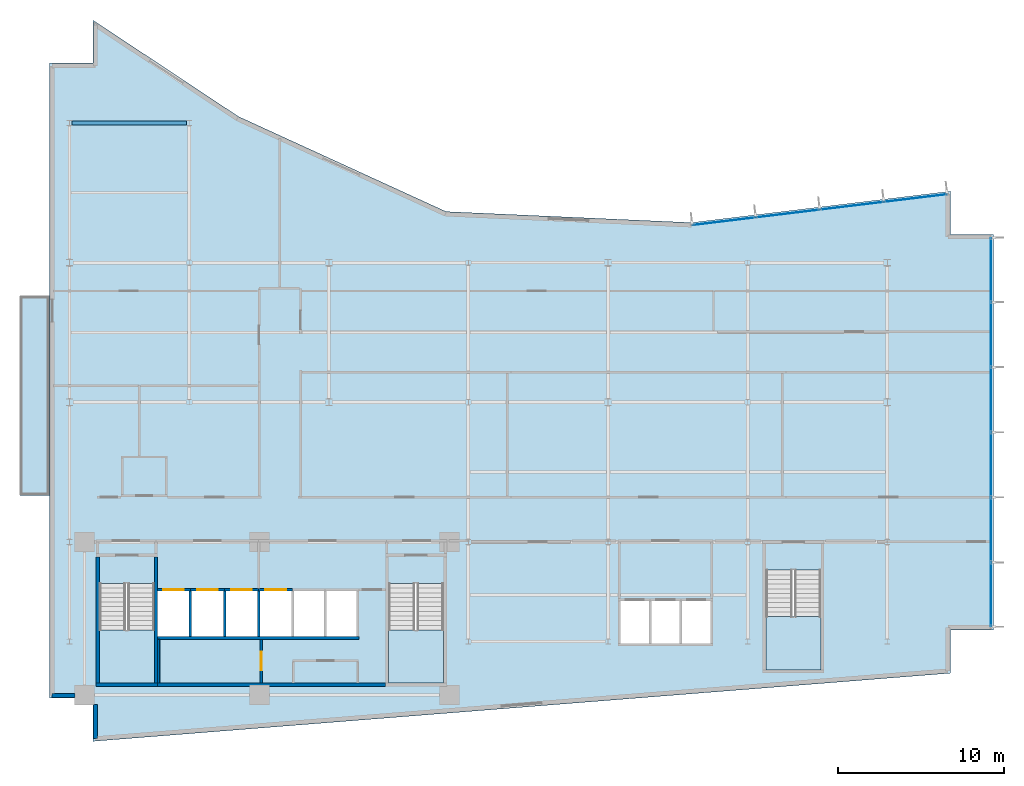
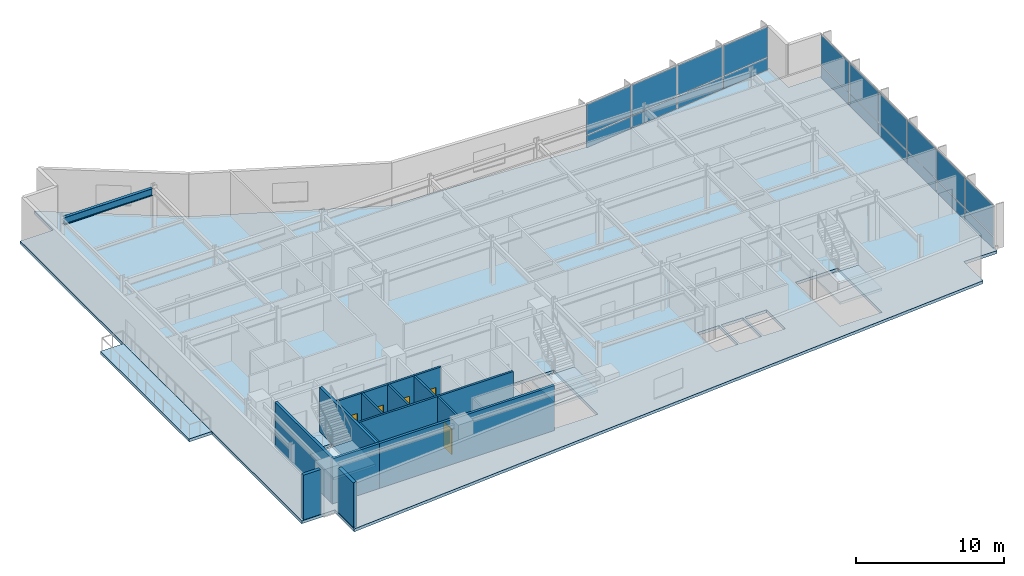
# One storey, part 9 of 16: 20 plates, 16 walls, 5 doors, 5 slabs, 1 beam, 5 openings, 5 elements without a shape of their own.
"""IFC4 building model written with IfcOpenShell, lengths in metres."""

from ifc_helpers import new_model, si_unit, direction, frame, frame_2d, origin, origin_2d, place, context, subcontext, project, spatial, polyline, rectangle, i_section, outline, extrude, material, layer, layer_set, material_profile, profile_set, type_object, element, fill, aggregate, save


model = new_model("IFC4")

# Units and contexts
model_context = context("Model", 3, precision=1e-05, world=origin(), true_north=direction((0.0, 1.0)))
body_context = subcontext(model_context, "Body", "Model", "MODEL_VIEW")
ifc_project = project(units=[si_unit("LENGTHUNIT", "METRE"), si_unit("AREAUNIT", "SQUARE_METRE"), si_unit("VOLUMEUNIT", "CUBIC_METRE"), si_unit("PLANEANGLEUNIT", "RADIAN"), si_unit("MASSUNIT", "GRAM", prefix="KILO")], contexts=[model_context])

# Site, building, storey
site_placement = place(None, origin())
site = spatial("IfcSite", under=ifc_project, at=site_placement, CompositionType="ELEMENT")
building_placement = place(site_placement, origin())
building = spatial("IfcBuilding", under=site, at=building_placement, Name="Varnakote Quay Hospital", CompositionType="ELEMENT")
storey_placement = place(building_placement, frame((0.0, 0.0, 166.550048828125)))
storey = spatial("IfcBuildingStorey", under=building, at=storey_placement, Name="L41", CompositionType="ELEMENT", Elevation=166.550048828125)

# Beam
ifc_material_1 = material(Name="Structural steel AS/NZS 3679.1 Grade 350 L0 (fy 340 MPa)", Category="steel")
ifc_material_profile = material_profile(ifc_material_1, i_section(OverallWidth=0.22802734375, OverallDepth=0.60205078125, WebThickness=0.010498046875, FlangeThickness=0.014892578125, FilletRadius=0.013916015625, at=origin_2d()), Name="610UB101")
ifc_profile_set = profile_set([ifc_material_profile], Name="Structural steel AS/NZS 3679.1 Grade 350 L0 (fy 340 MPa)")
beam_type = type_object("IfcBeamType", Name="BM-STL-610UB101", PredefinedType="BEAM", material=ifc_profile_set)
beam_placement = place(storey_placement, frame((1.353515625, 37.199951171875, 3.408935546875), z_axis=(1.0, 0.0, 0.0), x_axis=(0.0, 1.0, 0.0)))
element("IfcBeam", 1, at=beam_placement, inside=storey, type_object=beam_type, Name="L41 Primary Floor Beam", PredefinedType="BEAM", context=body_context, shape_type="SweptSolid", body=[
    extrude(i_section(OverallWidth=0.22802734375, OverallDepth=0.60205078125, WebThickness=0.010498046875, FlangeThickness=0.014892578125, FilletRadius=0.013916015625, at=origin_2d()), origin(), (0.0, 0.0, 1.0), 6.89306640625),
])

# Curtain wall, plates
ifc_material_2 = material(Name="Anodised aluminium 6063-T6 Bronze", Category="aluminium")
ifc_layer_1 = layer(ifc_material_2, 0.205078125)
ifc_layer_set_1 = layer_set([ifc_layer_1], Name="Anodised aluminium 6063-T6 Bronze")
curtain_wall_type = type_object("IfcCurtainWallType", Name="CW-SYS-3", PredefinedType="NOTDEFINED", material=ifc_layer_set_1)
curtain_wall_1_placement = place(storey_placement, origin())
curtain_wall_1 = element("IfcCurtainWall", 2, at=curtain_wall_1_placement, inside=storey, type_object=curtain_wall_type, Name="L41 Unitised Bronze Curtain Wall 1", PredefinedType="NOTDEFINED")
ifc_material_3 = material(Name="Double-glazed low-E solar glass", Category="glass")
ifc_layer_2 = layer(ifc_material_3, 0.028076171875)
ifc_layer_set_2 = layer_set([ifc_layer_2], Name="Double-glazed low-E solar glass")
plate_type = type_object("IfcPlateType", Name="CW-PNL-GLZ-28", PredefinedType="CURTAIN_PANEL", material=ifc_layer_set_2)
plate_1_placement = place(storey_placement, frame((56.639892578125, 8.83544921875, 0.07470703125), z_axis=(0.0, 0.0, 1.0), x_axis=(0.0, 1.0, 0.0)))
plate_1 = element("IfcPlate", 3, at=plate_1_placement, type_object=plate_type, Name="-3-L41-1 panel 1.1", PredefinedType="CURTAIN_PANEL", context=body_context, shape_type="SweptSolid", body=[
    extrude(rectangle(XDim=3.80078125, YDim=0.028076171875, at=origin_2d()), origin(), (0.0, 0.0, 1.0), 0.987548828125),
])
plate_2_placement = place(storey_placement, frame((56.639892578125, 8.83544921875, 1.137451171875), z_axis=(0.0, 0.0, 1.0), x_axis=(0.0, 1.0, 0.0)))
plate_2 = element("IfcPlate", 4, at=plate_2_placement, type_object=plate_type, Name="-3-L41-1 panel 1.2", PredefinedType="CURTAIN_PANEL", context=body_context, shape_type="SweptSolid", body=[
    extrude(rectangle(XDim=3.80078125, YDim=0.028076171875, at=origin_2d()), origin(), (0.0, 0.0, 1.0), 2.49755859375),
])
plate_3_placement = place(storey_placement, frame((56.639892578125, 12.72998046875, 0.07470703125), z_axis=(0.0, 0.0, 1.0), x_axis=(0.0, 1.0, 0.0)))
plate_3 = element("IfcPlate", 5, at=plate_3_placement, type_object=plate_type, Name="-3-L41-1 panel 2.1", PredefinedType="CURTAIN_PANEL", context=body_context, shape_type="SweptSolid", body=[
    extrude(rectangle(XDim=3.83837890625, YDim=0.028076171875, at=origin_2d()), origin(), (0.0, 0.0, 1.0), 0.987548828125),
])
plate_4_placement = place(storey_placement, frame((56.639892578125, 12.72998046875, 1.137451171875), z_axis=(0.0, 0.0, 1.0), x_axis=(0.0, 1.0, 0.0)))
plate_4 = element("IfcPlate", 6, at=plate_4_placement, type_object=plate_type, Name="-3-L41-1 panel 2.2", PredefinedType="CURTAIN_PANEL", context=body_context, shape_type="SweptSolid", body=[
    extrude(rectangle(XDim=3.83837890625, YDim=0.028076171875, at=origin_2d()), origin(), (0.0, 0.0, 1.0), 2.49755859375),
])
plate_5_placement = place(storey_placement, frame((56.639892578125, 16.643310546875, 0.07470703125), z_axis=(0.0, 0.0, 1.0), x_axis=(0.0, 1.0, 0.0)))
plate_5 = element("IfcPlate", 7, at=plate_5_placement, type_object=plate_type, Name="-3-L41-1 panel 3.1", PredefinedType="CURTAIN_PANEL", context=body_context, shape_type="SweptSolid", body=[
    extrude(rectangle(XDim=3.83837890625, YDim=0.028076171875, at=origin_2d()), origin(), (0.0, 0.0, 1.0), 0.987548828125),
])
plate_6_placement = place(storey_placement, frame((56.639892578125, 16.643310546875, 1.137451171875), z_axis=(0.0, 0.0, 1.0), x_axis=(0.0, 1.0, 0.0)))
plate_6 = element("IfcPlate", 8, at=plate_6_placement, type_object=plate_type, Name="-3-L41-1 panel 3.2", PredefinedType="CURTAIN_PANEL", context=body_context, shape_type="SweptSolid", body=[
    extrude(rectangle(XDim=3.83837890625, YDim=0.028076171875, at=origin_2d()), origin(), (0.0, 0.0, 1.0), 2.49755859375),
])
plate_7_placement = place(storey_placement, frame((56.639892578125, 20.556640625, 0.07470703125), z_axis=(0.0, 0.0, 1.0), x_axis=(0.0, 1.0, 0.0)))
plate_7 = element("IfcPlate", 9, at=plate_7_placement, type_object=plate_type, Name="-3-L41-1 panel 4.1", PredefinedType="CURTAIN_PANEL", context=body_context, shape_type="SweptSolid", body=[
    extrude(rectangle(XDim=3.83837890625, YDim=0.028076171875, at=origin_2d()), origin(), (0.0, 0.0, 1.0), 0.987548828125),
])
plate_8_placement = place(storey_placement, frame((56.639892578125, 20.556640625, 1.137451171875), z_axis=(0.0, 0.0, 1.0), x_axis=(0.0, 1.0, 0.0)))
plate_8 = element("IfcPlate", 10, at=plate_8_placement, type_object=plate_type, Name="-3-L41-1 panel 4.2", PredefinedType="CURTAIN_PANEL", context=body_context, shape_type="SweptSolid", body=[
    extrude(rectangle(XDim=3.83837890625, YDim=0.028076171875, at=origin_2d()), origin(), (0.0, 0.0, 1.0), 2.49755859375),
])
plate_9_placement = place(storey_placement, frame((56.639892578125, 24.469970703125, 0.07470703125), z_axis=(0.0, 0.0, 1.0), x_axis=(0.0, 1.0, 0.0)))
plate_9 = element("IfcPlate", 11, at=plate_9_placement, type_object=plate_type, Name="-3-L41-1 panel 5.1", PredefinedType="CURTAIN_PANEL", context=body_context, shape_type="SweptSolid", body=[
    extrude(rectangle(XDim=3.83837890625, YDim=0.028076171875, at=origin_2d()), origin(), (0.0, 0.0, 1.0), 0.987548828125),
])
plate_10_placement = place(storey_placement, frame((56.639892578125, 24.469970703125, 1.137451171875), z_axis=(0.0, 0.0, 1.0), x_axis=(0.0, 1.0, 0.0)))
plate_10 = element("IfcPlate", 12, at=plate_10_placement, type_object=plate_type, Name="-3-L41-1 panel 5.2", PredefinedType="CURTAIN_PANEL", context=body_context, shape_type="SweptSolid", body=[
    extrude(rectangle(XDim=3.83837890625, YDim=0.028076171875, at=origin_2d()), origin(), (0.0, 0.0, 1.0), 2.49755859375),
])
plate_11_placement = place(storey_placement, frame((56.639892578125, 28.364501953125, 0.07470703125), z_axis=(0.0, 0.0, 1.0), x_axis=(0.0, 1.0, 0.0)))
plate_11 = element("IfcPlate", 13, at=plate_11_placement, type_object=plate_type, Name="-3-L41-1 panel 6.1", PredefinedType="CURTAIN_PANEL", context=body_context, shape_type="SweptSolid", body=[
    extrude(rectangle(XDim=3.80078125, YDim=0.028076171875, at=origin_2d()), origin(), (0.0, 0.0, 1.0), 0.987548828125),
])
plate_12_placement = place(storey_placement, frame((56.639892578125, 28.364501953125, 1.137451171875), z_axis=(0.0, 0.0, 1.0), x_axis=(0.0, 1.0, 0.0)))
plate_12 = element("IfcPlate", 14, at=plate_12_placement, type_object=plate_type, Name="-3-L41-1 panel 6.2", PredefinedType="CURTAIN_PANEL", context=body_context, shape_type="SweptSolid", body=[
    extrude(rectangle(XDim=3.80078125, YDim=0.028076171875, at=origin_2d()), origin(), (0.0, 0.0, 1.0), 2.49755859375),
])
aggregate(curtain_wall_1, [plate_1, plate_2, plate_3, plate_4, plate_5, plate_6, plate_7, plate_8, plate_9, plate_10, plate_11, plate_12])

curtain_wall_2_placement = place(storey_placement, origin())
curtain_wall_2 = element("IfcCurtainWall", 15, at=curtain_wall_2_placement, inside=storey, type_object=curtain_wall_type, Name="L41 Unitised Bronze Curtain Wall 2", PredefinedType="NOTDEFINED")
plate_13_placement = place(storey_placement, frame((52.09521484375, 32.68359375, 0.07470703125), z_axis=(0.0, 0.0, 1.0), x_axis=(-0.992734295067, -0.12032713492, 0.0)))
plate_13 = element("IfcPlate", 16, at=plate_13_placement, type_object=plate_type, Name="-3-L41-2 panel 1.1", PredefinedType="CURTAIN_PANEL", context=body_context, shape_type="SweptSolid", body=[
    extrude(rectangle(XDim=3.76806640625, YDim=0.028076171875, at=origin_2d()), origin(), (0.0, 0.0, 1.0), 0.987548828125),
])
plate_14_placement = place(storey_placement, frame((52.09521484375, 32.68359375, 1.137451171875), z_axis=(0.0, 0.0, 1.0), x_axis=(-0.992734295067, -0.12032713492, 0.0)))
plate_14 = element("IfcPlate", 17, at=plate_14_placement, type_object=plate_type, Name="-3-L41-2 panel 1.2", PredefinedType="CURTAIN_PANEL", context=body_context, shape_type="SweptSolid", body=[
    extrude(rectangle(XDim=3.76806640625, YDim=0.028076171875, at=origin_2d()), origin(), (0.0, 0.0, 1.0), 2.49755859375),
])
plate_15_placement = place(storey_placement, frame((48.26123046875, 32.218994140625, 0.07470703125), z_axis=(0.0, 0.0, 1.0), x_axis=(-0.992734295067, -0.12032713492, 0.0)))
plate_15 = element("IfcPlate", 18, at=plate_15_placement, type_object=plate_type, Name="-3-L41-2 panel 2.1", PredefinedType="CURTAIN_PANEL", context=body_context, shape_type="SweptSolid", body=[
    extrude(rectangle(XDim=3.8056640625, YDim=0.028076171875, at=origin_2d()), origin(), (0.0, 0.0, 1.0), 0.987548828125),
])
plate_16_placement = place(storey_placement, frame((48.26123046875, 32.218994140625, 1.137451171875), z_axis=(0.0, 0.0, 1.0), x_axis=(-0.992734295067, -0.12032713492, 0.0)))
plate_16 = element("IfcPlate", 19, at=plate_16_placement, type_object=plate_type, Name="-3-L41-2 panel 2.2", PredefinedType="CURTAIN_PANEL", context=body_context, shape_type="SweptSolid", body=[
    extrude(rectangle(XDim=3.8056640625, YDim=0.028076171875, at=origin_2d()), origin(), (0.0, 0.0, 1.0), 2.49755859375),
])
plate_17_placement = place(storey_placement, frame((44.40869140625, 31.751953125, 0.07470703125), z_axis=(0.0, 0.0, 1.0), x_axis=(-0.992734295067, -0.12032713492, 0.0)))
plate_17 = element("IfcPlate", 20, at=plate_17_placement, type_object=plate_type, Name="-3-L41-2 panel 3.1", PredefinedType="CURTAIN_PANEL", context=body_context, shape_type="SweptSolid", body=[
    extrude(rectangle(XDim=3.8056640625, YDim=0.028076171875, at=origin_2d()), origin(), (0.0, 0.0, 1.0), 0.987548828125),
])
plate_18_placement = place(storey_placement, frame((44.40869140625, 31.751953125, 1.137451171875), z_axis=(0.0, 0.0, 1.0), x_axis=(-0.992734295067, -0.12032713492, 0.0)))
plate_18 = element("IfcPlate", 21, at=plate_18_placement, type_object=plate_type, Name="-3-L41-2 panel 3.2", PredefinedType="CURTAIN_PANEL", context=body_context, shape_type="SweptSolid", body=[
    extrude(rectangle(XDim=3.8056640625, YDim=0.028076171875, at=origin_2d()), origin(), (0.0, 0.0, 1.0), 2.49755859375),
])
plate_19_placement = place(storey_placement, frame((40.574951171875, 31.287353515625, 0.07470703125), z_axis=(0.0, 0.0, 1.0), x_axis=(-0.992734295067, -0.12032713492, 0.0)))
plate_19 = element("IfcPlate", 22, at=plate_19_placement, type_object=plate_type, Name="-3-L41-2 panel 4.1", PredefinedType="CURTAIN_PANEL", context=body_context, shape_type="SweptSolid", body=[
    extrude(rectangle(XDim=3.76806640625, YDim=0.028076171875, at=origin_2d()), origin(), (0.0, 0.0, 1.0), 0.987548828125),
])
plate_20_placement = place(storey_placement, frame((40.574951171875, 31.287353515625, 1.137451171875), z_axis=(0.0, 0.0, 1.0), x_axis=(-0.992734295067, -0.12032713492, 0.0)))
plate_20 = element("IfcPlate", 23, at=plate_20_placement, type_object=plate_type, Name="-3-L41-2 panel 4.2", PredefinedType="CURTAIN_PANEL", context=body_context, shape_type="SweptSolid", body=[
    extrude(rectangle(XDim=3.76806640625, YDim=0.028076171875, at=origin_2d()), origin(), (0.0, 0.0, 1.0), 2.49755859375),
])
aggregate(curtain_wall_2, [plate_13, plate_14, plate_15, plate_16, plate_17, plate_18, plate_19, plate_20])

# Stair, slab
ifc_material_4 = material(Name="Concrete N40 (f'c 40 MPa)", Category="concrete")
stair_type = type_object("IfcStairType", Name="STR-CORE-1580", PredefinedType="HALF_TURN_STAIR", material=ifc_material_4)
stair_1_placement = place(storey_placement, origin())
stair_1 = element("IfcStair", 24, at=stair_1_placement, inside=storey, type_object=stair_type, Name="L41 Fire-Isolated Exit Stair ST-01", PredefinedType="HALF_TURN_STAIR")
ifc_material_5 = material(Name="Concrete N40 (f'c 40 MPa)", Category="concrete")
ifc_layer_3 = layer(ifc_material_5, 0.199951171875)
ifc_layer_set_3 = layer_set([ifc_layer_3], Name="Concrete N40 (f'c 40 MPa)")
slab_type_1 = type_object("IfcSlabType", Name="SLB-STAIR-LND-200", PredefinedType="LANDING", material=ifc_layer_set_3)
slab_1_placement = place(storey_placement, frame((0.0, 0.0, 1.77490234375)))
slab_1 = element("IfcSlab", 25, at=slab_1_placement, type_object=slab_type_1, Name="ST-01 landing 1", PredefinedType="LANDING", context=body_context, shape_type="SweptSolid", body=[
    extrude(outline(polyline([(3.0, 6.699951171875), (3.0, 3.5), (6.300048828125, 3.5), (6.300048828125, 6.699951171875), (3.0, 6.699951171875)])), origin(), (0.0, 0.0, 1.0), 0.199951171875),
])
aggregate(stair_1, [slab_1])

stair_2_placement = place(storey_placement, origin())
stair_2 = element("IfcStair", 26, at=stair_2_placement, inside=storey, type_object=stair_type, Name="L41 Fire-Isolated Exit Stair ST-02", PredefinedType="HALF_TURN_STAIR")
slab_2_placement = place(storey_placement, frame((0.0, 0.0, 1.77490234375)))
slab_2 = element("IfcSlab", 27, at=slab_2_placement, type_object=slab_type_1, Name="ST-02 landing 1", PredefinedType="LANDING", context=body_context, shape_type="SweptSolid", body=[
    extrude(outline(polyline([(20.39990234375, 6.699951171875), (20.39990234375, 3.5), (23.699951171875, 3.5), (23.699951171875, 6.699951171875), (20.39990234375, 6.699951171875)])), origin(), (0.0, 0.0, 1.0), 0.199951171875),
])
aggregate(stair_2, [slab_2])

stair_3_placement = place(storey_placement, origin())
stair_3 = element("IfcStair", 28, at=stair_3_placement, inside=storey, type_object=stair_type, Name="L41 Fire-Isolated Exit Stair ST-03", PredefinedType="HALF_TURN_STAIR")
slab_3_placement = place(storey_placement, frame((0.0, 0.0, 1.77490234375)))
slab_3 = element("IfcSlab", 29, at=slab_3_placement, type_object=slab_type_1, Name="ST-03 landing 1", PredefinedType="LANDING", context=body_context, shape_type="SweptSolid", body=[
    extrude(outline(polyline([(43.10009765625, 7.5), (43.10009765625, 4.300048828125), (46.39990234375, 4.300048828125), (46.39990234375, 7.5), (43.10009765625, 7.5)])), origin(), (0.0, 0.0, 1.0), 0.199951171875),
])
aggregate(stair_3, [slab_3])

# Slabs
ifc_material_6 = material(Name="Concrete N50 (f'c 50 MPa)", Category="concrete")
ifc_layer_4 = layer(ifc_material_6, 0.239990234375)
ifc_layer_set_4 = layer_set([ifc_layer_4], Name="Concrete N50 (f'c 50 MPa)")
slab_type_2 = type_object("IfcSlabType", Name="SLB-TERR-200", PredefinedType="FLOOR", material=ifc_layer_set_4)
slab_4_placement = place(storey_placement, frame((0.0, 0.0, -0.239990234375)))
element("IfcSlab", 30, at=slab_4_placement, inside=storey, type_object=slab_type_2, Name="L41 Waterfront Healing Terrace Slab", PredefinedType="FLOOR", context=body_context, shape_type="SweptSolid", body=[
    extrude(outline(polyline([(0.00390625, 14.800048828125), (0.00390625, 26.800048828125), (-1.780029296875, 26.800048828125), (-1.780029296875, 14.800048828125), (0.00390625, 14.800048828125)])), origin(), (0.0, 0.0, 1.0), 0.239990234375),
])
ifc_material_7 = material(Name="Concrete N50 (f'c 50 MPa)", Category="concrete")
ifc_layer_5 = layer(ifc_material_7, 0.239990234375)
ifc_layer_set_5 = layer_set([ifc_layer_5], Name="Concrete N50 (f'c 50 MPa)")
slab_type_3 = type_object("IfcSlabType", Name="SLB-WARD-200", PredefinedType="FLOOR", material=ifc_layer_set_5)
slab_5_placement = place(storey_placement, frame((0.0, 0.0, -0.239990234375)))
element("IfcSlab", 31, at=slab_5_placement, inside=storey, type_object=slab_type_3, Name="L41 Primary Floor Slab", PredefinedType="FLOOR", context=body_context, shape_type="SweptSolid", body=[
    extrude(outline(polyline([(0.0, 2.60009765625), (2.60009765625, 2.60009765625), (2.60009765625, 0.0), (54.199951171875, 4.10009765625), (54.199951171875, 6.699951171875), (56.800048828125, 6.699951171875), (56.800048828125, 30.5), (54.199951171875, 30.5), (54.199951171875, 33.10009765625), (38.6240234375, 31.2119140625), (23.85595703125, 31.8740234375), (11.360107421875, 37.595947265625), (2.60009765625, 43.39990234375), (2.60009765625, 40.800048828125), (0.0, 40.800048828125), (0.0, 2.60009765625)]), holes=[polyline([(3.0, 3.5), (6.300048828125, 3.5), (6.300048828125, 9.49951171875), (3.0, 9.49951171875), (3.0, 3.5)]), polyline([(20.39990234375, 3.5), (23.699951171875, 3.5), (23.699951171875, 9.49951171875), (20.39990234375, 9.49951171875), (20.39990234375, 3.5)]), polyline([(43.10009765625, 4.300048828125), (46.39990234375, 4.300048828125), (46.39990234375, 10.29931640625), (43.10009765625, 10.29931640625), (43.10009765625, 4.300048828125)]), polyline([(6.5, 6.300048828125), (8.39990234375, 6.300048828125), (8.39990234375, 9.050048828125), (6.5, 9.050048828125), (6.5, 6.300048828125)]), polyline([(8.550048828125, 6.300048828125), (10.449951171875, 6.300048828125), (10.449951171875, 9.050048828125), (8.550048828125, 9.050048828125), (8.550048828125, 6.300048828125)]), polyline([(10.60009765625, 6.300048828125), (12.5, 6.300048828125), (12.5, 9.050048828125), (10.60009765625, 9.050048828125), (10.60009765625, 6.300048828125)]), polyline([(12.64990234375, 6.300048828125), (14.550048828125, 6.300048828125), (14.550048828125, 9.050048828125), (12.64990234375, 9.050048828125), (12.64990234375, 6.300048828125)]), polyline([(14.699951171875, 6.300048828125), (16.5, 6.300048828125), (16.5, 9.050048828125), (14.699951171875, 9.050048828125), (14.699951171875, 6.300048828125)]), polyline([(16.64990234375, 6.300048828125), (18.449951171875, 6.300048828125), (18.449951171875, 9.050048828125), (16.64990234375, 9.050048828125), (16.64990234375, 6.300048828125)]), polyline([(34.35009765625, 5.89990234375), (36.050048828125, 5.89990234375), (36.050048828125, 8.449951171875), (34.35009765625, 8.449951171875), (34.35009765625, 5.89990234375)]), polyline([(36.199951171875, 5.89990234375), (37.89990234375, 5.89990234375), (37.89990234375, 8.449951171875), (36.199951171875, 8.449951171875), (36.199951171875, 5.89990234375)]), polyline([(38.050048828125, 5.89990234375), (39.75, 5.89990234375), (39.75, 8.449951171875), (38.050048828125, 8.449951171875), (38.050048828125, 5.89990234375)])]), origin(), (0.0, 0.0, 1.0), 0.239990234375),
])

# Walls
ifc_material_8 = material(Name="Concrete N65 (f'c 65 MPa)", Category="concrete")
ifc_layer_6 = layer(ifc_material_8, 0.199951171875)
ifc_layer_set_6 = layer_set([ifc_layer_6], Name="Concrete N65 (f'c 65 MPa)")
wall_type_1 = type_object("IfcWallType", Name="WL-CORE-N65-200", PredefinedType="SHEAR", material=ifc_layer_set_6)
wall_1_placement = place(storey_placement, frame((6.5, 3.39990234375, 0.0), z_axis=(0.0, 0.0, 1.0), x_axis=(1.0, 0.0, 0.0)))
element("IfcWall", 32, at=wall_1_placement, inside=storey, type_object=wall_type_1, Name="L41 Rear Core South Shear Wall", PredefinedType="SHEAR", context=body_context, shape_type="SweptSolid", body=[
    extrude(rectangle(XDim=13.699951171875, YDim=0.199951171875, at=frame_2d((6.85009765625, 0.0))), origin(), (0.0, 0.0, 1.0), 3.7099609375),
])
ifc_material_9 = material(Name="Precast concrete N50 (f'c 50 MPa)", Category="concrete")
ifc_layer_7 = layer(ifc_material_9, 0.260009765625)
ifc_layer_set_7 = layer_set([ifc_layer_7], Name="Precast concrete N50 (f'c 50 MPa)")
wall_type_2 = type_object("IfcWallType", Name="WL-EXT-BRICK-260", PredefinedType="STANDARD", material=ifc_layer_set_7)
wall_2_placement = place(storey_placement, frame((2.760009765625, 2.215087890625, 0.0), z_axis=(0.0, 0.0, 1.0), x_axis=(0.0, -1.0, 0.0)))
element("IfcWall", 33, at=wall_2_placement, inside=storey, type_object=wall_type_2, Name="L41 Brick-Faced Precast Exterior Wall", PredefinedType="STANDARD", context=body_context, shape_type="SweptSolid", body=[
    extrude(rectangle(XDim=2.0419921875, YDim=0.260009765625, at=frame_2d((1.02099609375, 0.0))), origin(), (0.0, 0.0, 1.0), 3.7099609375),
])
wall_3_placement = place(storey_placement, frame((0.159912109375, 2.760009765625, 0.0), z_axis=(0.0, 0.0, 1.0), x_axis=(1.0, 0.0, 0.0)))
element("IfcWall", 34, at=wall_3_placement, inside=storey, type_object=wall_type_2, Name="L41 Brick-Faced Precast Exterior Wall", PredefinedType="STANDARD", context=body_context, shape_type="SweptSolid", body=[
    extrude(rectangle(XDim=1.35498046875, YDim=0.260009765625, at=frame_2d((0.677490234375, 0.0))), origin(), (0.0, 0.0, 1.0), 3.7099609375),
])
ifc_material_10 = material(Name="Concrete N50 (f'c 50 MPa)", Category="concrete")
ifc_layer_8 = layer(ifc_material_10, 0.14990234375)
ifc_layer_set_8 = layer_set([ifc_layer_8], Name="Concrete N50 (f'c 50 MPa)")
wall_type_3 = type_object("IfcWallType", Name="WL-SHAFT-N50-150", PredefinedType="SHEAR", material=ifc_layer_set_8)
for number, where, z_axis, x_axis, name in (
    (35, (8.47509765625, 6.300048828125, 0.0), (0.0, 0.0, 1.0), (0.0, 1.0, 0.0), "L41 LF-FF1 Hoistway Divider Wall"),
    (36, (10.52490234375, 6.300048828125, 0.0), (0.0, 0.0, 1.0), (0.0, 1.0, 0.0), "L41 LF-FF2 Hoistway Divider Wall"),
    (37, (12.574951171875, 6.300048828125, 0.0), (0.0, 0.0, 1.0), (0.0, 1.0, 0.0), "L41 LF-SV1 Hoistway Divider Wall"),
):
    element("IfcWall", number, at=place(storey_placement, frame(where, z_axis=z_axis, x_axis=x_axis)), inside=storey, type_object=wall_type_3, Name=name, PredefinedType="SHEAR", context=body_context, shape_type="SweptSolid", body=[
        extrude(rectangle(XDim=2.75, YDim=0.14990234375, at=frame_2d((1.375, 0.0))), origin(), (0.0, 0.0, 1.0), 3.7099609375),
    ])
ifc_material_11 = material(Name="Concrete N50 (f'c 50 MPa)", Category="concrete")
ifc_layer_9 = layer(ifc_material_11, 0.159912109375)
ifc_layer_set_9 = layer_set([ifc_layer_9], Name="Concrete N50 (f'c 50 MPa)")
wall_type_4 = type_object("IfcWallType", Name="WL-SHAFT-N50-160", PredefinedType="SHEAR", material=ifc_layer_set_9)
wall_4_placement = place(storey_placement, frame((6.5, 6.219970703125, 0.0), z_axis=(0.0, 0.0, 1.0), x_axis=(1.0, 0.0, 0.0)))
element("IfcWall", 38, at=wall_4_placement, inside=storey, type_object=wall_type_4, Name="L41 REAR Lift Bank Back Shear Wall", PredefinedType="SHEAR", context=body_context, shape_type="SweptSolid", body=[
    extrude(rectangle(XDim=12.110107421875, YDim=0.159912109375, at=frame_2d((6.05517578125, 0.0))), origin(), (0.0, 0.0, 1.0), 3.7099609375),
])

# Wall, opening, door
wall_5_placement = place(storey_placement, frame((6.5, 9.1298828125, 0.0), z_axis=(0.0, 0.0, 1.0), x_axis=(1.0, 0.0, 0.0)))
wall_5 = element("IfcWall", 39, at=wall_5_placement, inside=storey, type_object=wall_type_4, Name="L41 LF-FF1 Hoistway Front Wall", PredefinedType="SHEAR", context=body_context, shape_type="SweptSolid", body=[
    extrude(rectangle(XDim=1.97509765625, YDim=0.159912109375, at=frame_2d((0.987548828125, 0.0))), origin(), (0.0, 0.0, 1.0), 3.7099609375),
])
opening_1_placement = place(wall_5_placement, frame((0.324951171875, 0.0, 0.0)))
opening_1 = element("IfcOpeningElement", 40, at=opening_1_placement, cuts=wall_5, Name="Opening LD-FF1-L41", PredefinedType="OPENING", context=body_context, shape_type="SweptSolid", body=[
    extrude(rectangle(XDim=1.25, YDim=2.14990234375, at=frame_2d((0.625, 1.074951171875))), frame((0.0, 0.08984375, 0.0), z_axis=(0.0, -1.0, 0.0), x_axis=(1.0, 0.0, 0.0)), (0.0, 0.0, 1.0), 0.179931640625),
])
ifc_material_12 = material(Name="Stainless steel lift landing sliding door", Category="steel")
door_type_1 = type_object("IfcDoorType", Name="DR-LIFT-LD-1250x2150", OperationType="NOTDEFINED", PredefinedType="DOOR", material=ifc_material_12)
door_1_placement = place(opening_1_placement, origin())
door_1 = element("IfcDoor", 41, at=door_1_placement, inside=storey, type_object=door_type_1, Name="L41 LF-FF1 Lift Landing Sliding Door", OperationType="SLIDING_TO_LEFT", OverallHeight=2.14990234375, OverallWidth=1.25, PredefinedType="DOOR", context=body_context, shape_type="SweptSolid", body=[
    extrude(rectangle(XDim=1.25, YDim=2.14990234375, at=frame_2d((0.625, 1.074951171875))), frame((0.0, 0.02490234375, 0.0), z_axis=(0.0, -1.0, 0.0), x_axis=(1.0, 0.0, 0.0)), (0.0, 0.0, 1.0), 0.050048828125),
])
fill(opening_1, door_1)

wall_6_placement = place(storey_placement, frame((8.47509765625, 9.1298828125, 0.0), z_axis=(0.0, 0.0, 1.0), x_axis=(1.0, 0.0, 0.0)))
wall_6 = element("IfcWall", 42, at=wall_6_placement, inside=storey, type_object=wall_type_4, Name="L41 LF-FF2 Hoistway Front Wall", PredefinedType="SHEAR", context=body_context, shape_type="SweptSolid", body=[
    extrude(rectangle(XDim=2.0498046875, YDim=0.159912109375, at=frame_2d((1.02490234375, 0.0))), origin(), (0.0, 0.0, 1.0), 3.7099609375),
])
opening_2_placement = place(wall_6_placement, frame((0.39990234375, 0.0, 0.0)))
opening_2 = element("IfcOpeningElement", 43, at=opening_2_placement, cuts=wall_6, Name="Opening LD-FF2-L41", PredefinedType="OPENING", context=body_context, shape_type="SweptSolid", body=[
    extrude(rectangle(XDim=1.25, YDim=2.14990234375, at=frame_2d((0.625, 1.074951171875))), frame((0.0, 0.08984375, 0.0), z_axis=(0.0, -1.0, 0.0), x_axis=(1.0, 0.0, 0.0)), (0.0, 0.0, 1.0), 0.179931640625),
])
door_2_placement = place(opening_2_placement, origin())
door_2 = element("IfcDoor", 44, at=door_2_placement, inside=storey, type_object=door_type_1, Name="L41 LF-FF2 Lift Landing Sliding Door", OperationType="SLIDING_TO_LEFT", OverallHeight=2.14990234375, OverallWidth=1.25, PredefinedType="DOOR", context=body_context, shape_type="SweptSolid", body=[
    extrude(rectangle(XDim=1.25, YDim=2.14990234375, at=frame_2d((0.625, 1.074951171875))), frame((0.0, 0.02490234375, 0.0), z_axis=(0.0, -1.0, 0.0), x_axis=(1.0, 0.0, 0.0)), (0.0, 0.0, 1.0), 0.050048828125),
])
fill(opening_2, door_2)

wall_7_placement = place(storey_placement, frame((10.52490234375, 9.1298828125, 0.0), z_axis=(0.0, 0.0, 1.0), x_axis=(1.0, 0.0, 0.0)))
wall_7 = element("IfcWall", 45, at=wall_7_placement, inside=storey, type_object=wall_type_4, Name="L41 LF-SV1 Hoistway Front Wall", PredefinedType="SHEAR", context=body_context, shape_type="SweptSolid", body=[
    extrude(rectangle(XDim=2.050048828125, YDim=0.159912109375, at=frame_2d((1.02490234375, 0.0))), origin(), (0.0, 0.0, 1.0), 3.7099609375),
])
opening_3_placement = place(wall_7_placement, frame((0.39990234375, 0.0, 0.0)))
opening_3 = element("IfcOpeningElement", 46, at=opening_3_placement, cuts=wall_7, Name="Opening LD-SV1-L41", PredefinedType="OPENING", context=body_context, shape_type="SweptSolid", body=[
    extrude(rectangle(XDim=1.25, YDim=2.14990234375, at=frame_2d((0.625, 1.074951171875))), frame((0.0, 0.08984375, 0.0), z_axis=(0.0, -1.0, 0.0), x_axis=(1.0, 0.0, 0.0)), (0.0, 0.0, 1.0), 0.179931640625),
])
door_3_placement = place(opening_3_placement, origin())
door_3 = element("IfcDoor", 47, at=door_3_placement, inside=storey, type_object=door_type_1, Name="L41 LF-SV1 Lift Landing Sliding Door", OperationType="SLIDING_TO_LEFT", OverallHeight=2.14990234375, OverallWidth=1.25, PredefinedType="DOOR", context=body_context, shape_type="SweptSolid", body=[
    extrude(rectangle(XDim=1.25, YDim=2.14990234375, at=frame_2d((0.625, 1.074951171875))), frame((0.0, 0.02490234375, 0.0), z_axis=(0.0, -1.0, 0.0), x_axis=(1.0, 0.0, 0.0)), (0.0, 0.0, 1.0), 0.050048828125),
])
fill(opening_3, door_3)

wall_8_placement = place(storey_placement, frame((12.574951171875, 9.1298828125, 0.0), z_axis=(0.0, 0.0, 1.0), x_axis=(1.0, 0.0, 0.0)))
wall_8 = element("IfcWall", 48, at=wall_8_placement, inside=storey, type_object=wall_type_4, Name="L41 LF-SV2 Hoistway Front Wall", PredefinedType="SHEAR", context=body_context, shape_type="SweptSolid", body=[
    extrude(rectangle(XDim=2.050048828125, YDim=0.159912109375, at=frame_2d((1.02490234375, 0.0))), origin(), (0.0, 0.0, 1.0), 3.7099609375),
])
opening_4_placement = place(wall_8_placement, frame((0.39990234375, 0.0, 0.0)))
opening_4 = element("IfcOpeningElement", 49, at=opening_4_placement, cuts=wall_8, Name="Opening LD-SV2-L41", PredefinedType="OPENING", context=body_context, shape_type="SweptSolid", body=[
    extrude(rectangle(XDim=1.25, YDim=2.14990234375, at=frame_2d((0.625, 1.074951171875))), frame((0.0, 0.08984375, 0.0), z_axis=(0.0, -1.0, 0.0), x_axis=(1.0, 0.0, 0.0)), (0.0, 0.0, 1.0), 0.179931640625),
])
door_4_placement = place(opening_4_placement, origin())
door_4 = element("IfcDoor", 50, at=door_4_placement, inside=storey, type_object=door_type_1, Name="L41 LF-SV2 Lift Landing Sliding Door", OperationType="SLIDING_TO_LEFT", OverallHeight=2.14990234375, OverallWidth=1.25, PredefinedType="DOOR", context=body_context, shape_type="SweptSolid", body=[
    extrude(rectangle(XDim=1.25, YDim=2.14990234375, at=frame_2d((0.625, 1.074951171875))), frame((0.0, 0.02490234375, 0.0), z_axis=(0.0, -1.0, 0.0), x_axis=(1.0, 0.0, 0.0)), (0.0, 0.0, 1.0), 0.050048828125),
])
fill(opening_4, door_4)

# Walls
ifc_material_13 = material(Name="Concrete N50 (f'c 50 MPa)", Category="concrete")
ifc_layer_10 = layer(ifc_material_13, 0.199951171875)
ifc_layer_set_10 = layer_set([ifc_layer_10], Name="Concrete N50 (f'c 50 MPa)")
wall_type_5 = type_object("IfcWallType", Name="WL-SHAFT-N50-200", PredefinedType="SHEAR", material=ifc_layer_set_10)
wall_9_placement = place(storey_placement, frame((2.800048828125, 3.39990234375, 0.0), z_axis=(0.0, 0.0, 1.0), x_axis=(1.0, 0.0, 0.0)))
element("IfcWall", 51, at=wall_9_placement, inside=storey, type_object=wall_type_5, Name="L41 Stair ST1 South Shaft Wall", PredefinedType="SHEAR", context=body_context, shape_type="SweptSolid", body=[
    extrude(rectangle(XDim=3.699951171875, YDim=0.199951171875, at=frame_2d((1.85009765625, 0.0))), origin(), (0.0, 0.0, 1.0), 3.7099609375),
])
for number, where, z_axis, x_axis, name in (
    (52, (2.89990234375, 3.5, 0.0), (0.0, 0.0, 1.0), (0.0, 1.0, 0.0), "L41 Stair ST1 West Shaft Wall"),
    (53, (6.39990234375, 3.5, 0.0), (0.0, 0.0, 1.0), (0.0, 1.0, 0.0), "L41 Stair ST1 East Shaft Wall"),
):
    element("IfcWall", number, at=place(storey_placement, frame(where, z_axis=z_axis, x_axis=x_axis)), inside=storey, type_object=wall_type_5, Name=name, PredefinedType="SHEAR", context=body_context, shape_type="SweptSolid", body=[
        extrude(rectangle(XDim=7.60009765625, YDim=0.199951171875, at=frame_2d((3.800048828125, 0.0))), origin(), (0.0, 0.0, 1.0), 3.7099609375),
    ])
ifc_material_14 = material(Name="Smoke-proof clinical partition", Category="gypsum")
ifc_layer_11 = layer(ifc_material_14, 0.1201171875)
ifc_layer_set_11 = layer_set([ifc_layer_11], Name="Smoke-proof clinical partition")
wall_type_6 = type_object("IfcWallType", Name="WL-SMOKE-120", PredefinedType="PARTITIONING", material=ifc_layer_set_11)
wall_10_placement = place(storey_placement, frame((6.56005859375, 3.52001953125, 0.0), z_axis=(0.0, 0.0, 1.0), x_axis=(0.0, 1.0, 0.0)))
element("IfcWall", 54, at=wall_10_placement, inside=storey, type_object=wall_type_6, Name="L41 Core West Store West Wall", PredefinedType="PARTITIONING", context=body_context, shape_type="SweptSolid", body=[
    extrude(rectangle(XDim=2.619873046875, YDim=0.1201171875, at=frame_2d((1.31005859375, 0.0))), origin(), (0.0, 0.0, 1.0), 3.7099609375),
])

# Wall, opening, door
ifc_material_15 = material(Name="Fire-rated clinical gypsum partition", Category="gypsum")
ifc_layer_12 = layer(ifc_material_15, 0.139892578125)
ifc_layer_set_12 = layer_set([ifc_layer_12], Name="Fire-rated clinical gypsum partition")
wall_type_7 = type_object("IfcWallType", Name="WL-WARD-140", PredefinedType="PARTITIONING", material=ifc_layer_set_12)
wall_11_placement = place(storey_placement, frame((12.72998046875, 3.52001953125, 0.0), z_axis=(0.0, 0.0, 1.0), x_axis=(0.0, 1.0, 0.0)))
wall_11 = element("IfcWall", 55, at=wall_11_placement, inside=storey, type_object=wall_type_7, Name="L41 Core Clean Equipment Store East Wall", PredefinedType="PARTITIONING", context=body_context, shape_type="SweptSolid", body=[
    extrude(rectangle(XDim=2.619873046875, YDim=0.139892578125, at=frame_2d((1.31005859375, 0.0))), origin(), (0.0, 0.0, 1.0), 3.7099609375),
])
opening_5_placement = place(wall_11_placement, frame((0.760009765625, 0.0, 0.0)))
opening_5 = element("IfcOpeningElement", 56, at=opening_5_placement, cuts=wall_11, Name="Opening D-L41-CR01", PredefinedType="OPENING", context=body_context, shape_type="SweptSolid", body=[
    extrude(rectangle(XDim=1.10009765625, YDim=2.10009765625, at=frame_2d((0.550048828125, 1.050048828125))), frame((0.0, 0.079833984375, 0.0), z_axis=(0.0, -1.0, 0.0), x_axis=(1.0, 0.0, 0.0)), (0.0, 0.0, 1.0), 0.159912109375),
])
ifc_material_16 = material(Name="Acoustic timber clinical consult door", Category="wood")
door_type_2 = type_object("IfcDoorType", Name="DR-CLIN-FD30S-1100x2100", OperationType="NOTDEFINED", PredefinedType="DOOR", material=ifc_material_16)
door_5_placement = place(opening_5_placement, origin())
door_5 = element("IfcDoor", 57, at=door_5_placement, inside=storey, type_object=door_type_2, Name="L41 Core Clean Equipment Store Door", OperationType="SINGLE_SWING_LEFT", OverallHeight=2.10009765625, OverallWidth=1.10009765625, PredefinedType="DOOR", context=body_context, shape_type="SweptSolid", body=[
    extrude(rectangle(XDim=1.10009765625, YDim=2.10009765625, at=frame_2d((0.550048828125, 1.050048828125))), frame((0.0, 0.02490234375, 0.0), z_axis=(0.0, -1.0, 0.0), x_axis=(1.0, 0.0, 0.0)), (0.0, 0.0, 1.0), 0.050048828125),
])
fill(opening_5, door_5)

save(model, "model.ifc")
